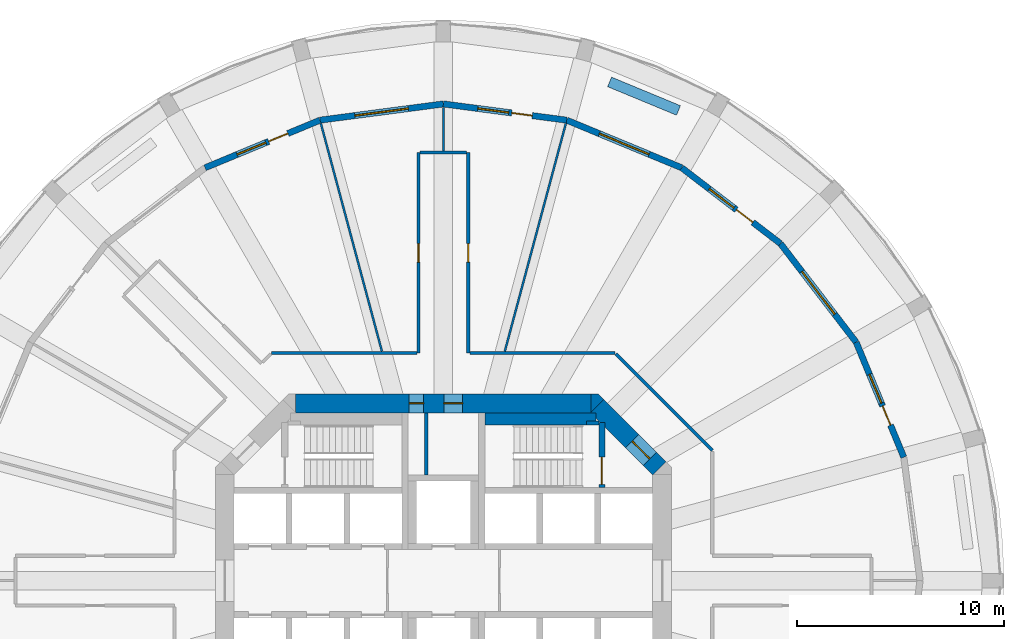
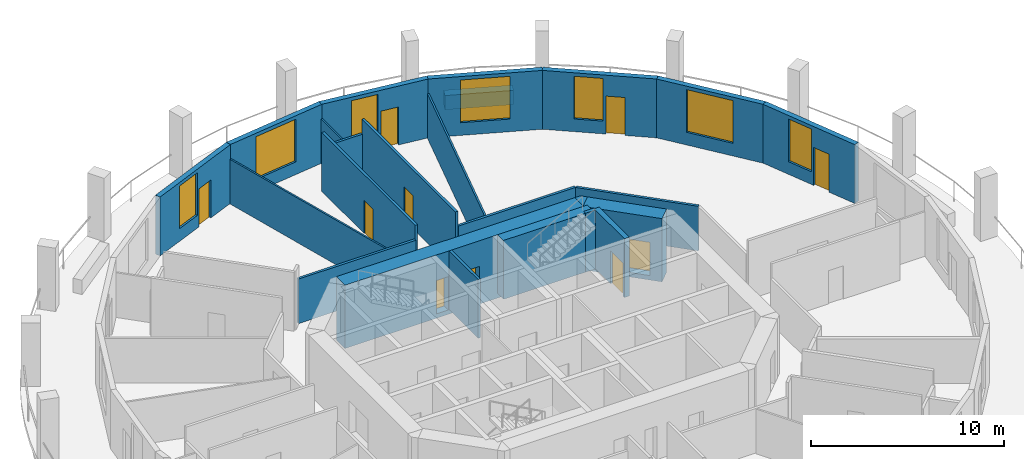
# One storey, part 6 of 9: 24 walls, 10 doors, 7 windows, 17 openings.
"""IFC4 building model written with IfcOpenShell, lengths in metres."""

from ifc_helpers import new_model, si_unit, direction, frame, frame_2d, origin, place, context, subcontext, project, spatial, polyline, rectangle, outline, extrude, material, layer, layer_set, type_object, element, fill, save


model = new_model("IFC4")

# Units and contexts
model_context = context("Model", 3, precision=1e-05, world=origin(), true_north=direction((0.0, 1.0)))
body_context = subcontext(model_context, "Body", "Model", "MODEL_VIEW")
ifc_project = project(units=[si_unit("LENGTHUNIT", "METRE"), si_unit("AREAUNIT", "SQUARE_METRE"), si_unit("VOLUMEUNIT", "CUBIC_METRE"), si_unit("PLANEANGLEUNIT", "RADIAN"), si_unit("MASSUNIT", "GRAM", prefix="KILO")], contexts=[model_context])

# Site, building, storey
site_placement = place(None, origin())
site = spatial("IfcSite", under=ifc_project, at=site_placement, CompositionType="ELEMENT")
building_placement = place(site_placement, origin())
building = spatial("IfcBuilding", under=site, at=building_placement, Name="Torre Triforio", CompositionType="ELEMENT")
storey_placement = place(building_placement, frame((0.0, 0.0, 27.0)))
storey = spatial("IfcBuildingStorey", under=building, at=storey_placement, Name="L04", CompositionType="ELEMENT", Elevation=27.0)

# Wall, openings, doors
ifc_material_1 = material(Name="Concrete C60", Category="concrete")
ifc_layer_1 = layer(ifc_material_1, 0.89990234375)
ifc_layer_set_1 = layer_set([ifc_layer_1], Name="Concrete C60")
wall_type_1 = type_object("IfcWallType", Name="Core wall 900 mm C60 EI 120", PredefinedType="SHEAR", material=ifc_layer_set_1)
wall_1_placement = place(storey_placement, frame((-7.1298828125, 8.550048828125, -0.280029296875), z_axis=(0.0, 0.0, 1.0), x_axis=(1.0, 0.0, 0.0)))
wall_1 = element("IfcWall", 1, at=wall_1_placement, inside=storey, type_object=wall_type_1, Name="Core wall", PredefinedType="SHEAR", context=body_context, shape_type="SweptSolid", body=[
    extrude(rectangle(XDim=14.259765625, YDim=0.89990234375, at=frame_2d((7.1298828125, 0.0))), origin(), (0.0, 0.0, 1.0), 4.0),
])
opening_1_placement = place(wall_1_placement, frame((5.47998046875, 0.0, 0.280029296875)))
opening_1 = element("IfcOpeningElement", 2, at=opening_1_placement, cuts=wall_1, Name="Opening RISER-N", PredefinedType="OPENING", context=body_context, shape_type="SweptSolid", body=[
    extrude(rectangle(XDim=0.699951171875, YDim=2.10009765625, at=frame_2d((0.35009765625, 1.050048828125))), frame((0.0, 0.4599609375, 0.0), z_axis=(0.0, -1.0, 0.0), x_axis=(1.0, 0.0, 0.0)), (0.0, 0.0, 1.0), 0.919921875),
])
opening_2_placement = place(wall_1_placement, frame((7.155029296875, 0.0, 0.280029296875)))
opening_2 = element("IfcOpeningElement", 3, at=opening_2_placement, cuts=wall_1, Name="Opening NE-01", PredefinedType="OPENING", context=body_context, shape_type="SweptSolid", body=[
    extrude(rectangle(XDim=0.89990234375, YDim=2.10009765625, at=frame_2d((0.449951171875, 1.050048828125))), frame((0.0, 0.4599609375, 0.0), z_axis=(0.0, -1.0, 0.0), x_axis=(1.0, 0.0, 0.0)), (0.0, 0.0, 1.0), 0.919921875),
])
ifc_material_2 = material(Name="Hollow metal fire door leaf")
door_type_1 = type_object("IfcDoorType", Name="Riser door 700 x 2100 EI 60", OperationType="NOTDEFINED", PredefinedType="DOOR", material=ifc_material_2)
door_1_placement = place(opening_1_placement, origin())
door_1 = element("IfcDoor", 4, at=door_1_placement, inside=storey, type_object=door_type_1, Name="Core door RISER-N", OperationType="SINGLE_SWING_LEFT", OverallHeight=2.10009765625, OverallWidth=0.699951171875, PredefinedType="DOOR", context=body_context, shape_type="SweptSolid", body=[
    extrude(rectangle(XDim=0.699951171875, YDim=2.10009765625, at=frame_2d((0.35009765625, 1.050048828125))), frame((0.0, 0.02490234375, 0.0), z_axis=(0.0, -1.0, 0.0), x_axis=(1.0, 0.0, 0.0)), (0.0, 0.0, 1.0), 0.050048828125),
])
fill(opening_1, door_1)
door_type_2 = type_object("IfcDoorType", Name="Room door 900 x 2100 EI 60", OperationType="NOTDEFINED", PredefinedType="DOOR", material=ifc_material_2)
door_2_placement = place(opening_2_placement, origin())
door_2 = element("IfcDoor", 5, at=door_2_placement, inside=storey, type_object=door_type_2, Name="Core door NE-01", OperationType="SINGLE_SWING_RIGHT", OverallHeight=2.10009765625, OverallWidth=0.89990234375, PredefinedType="DOOR", context=body_context, shape_type="SweptSolid", body=[
    extrude(rectangle(XDim=0.89990234375, YDim=2.10009765625, at=frame_2d((0.449951171875, 1.050048828125))), frame((0.0, 0.02490234375, 0.0), z_axis=(0.0, -1.0, 0.0), x_axis=(1.0, 0.0, 0.0)), (0.0, 0.0, 1.0), 0.050048828125),
])
fill(opening_2, door_2)

# Wall, opening, door
wall_2_placement = place(storey_placement, frame((7.418212890625, 8.418212890625, -0.280029296875), z_axis=(0.0, 0.0, 1.0), x_axis=(0.707106781187, -0.707106781187, 0.0)))
wall_2 = element("IfcWall", 6, at=wall_2_placement, inside=storey, type_object=wall_type_1, Name="Core wall", PredefinedType="SHEAR", context=body_context, shape_type="SweptSolid", body=[
    extrude(rectangle(XDim=4.24267578125, YDim=0.89990234375, at=frame_2d((2.121337890625, 0.0))), origin(), (0.0, 0.0, 1.0), 4.0),
])
opening_3_placement = place(wall_2_placement, frame((2.392578125, 0.0, 0.280029296875)))
opening_3 = element("IfcOpeningElement", 7, at=opening_3_placement, cuts=wall_2, Name="Opening ST2-EXIT", PredefinedType="OPENING", context=body_context, shape_type="SweptSolid", body=[
    extrude(rectangle(XDim=1.199951171875, YDim=2.10009765625, at=frame_2d((0.60009765625, 1.050048828125))), frame((0.0, 0.4599609375, 0.0), z_axis=(0.0, -1.0, 0.0), x_axis=(1.0, 0.0, 0.0)), (0.0, 0.0, 1.0), 0.919921875),
])
door_type_3 = type_object("IfcDoorType", Name="Stair lobby door 1200 x 2100 EI 60", OperationType="NOTDEFINED", PredefinedType="DOOR", material=ifc_material_2)
door_3_placement = place(opening_3_placement, origin())
door_3 = element("IfcDoor", 8, at=door_3_placement, inside=storey, type_object=door_type_3, Name="Core door ST2-EXIT", OperationType="SINGLE_SWING_RIGHT", OverallHeight=2.10009765625, OverallWidth=1.199951171875, PredefinedType="DOOR", context=body_context, shape_type="SweptSolid", body=[
    extrude(rectangle(XDim=1.199951171875, YDim=2.10009765625, at=frame_2d((0.60009765625, 1.050048828125))), frame((0.0, 0.02490234375, 0.0), z_axis=(0.0, -1.0, 0.0), x_axis=(1.0, 0.0, 0.0)), (0.0, 0.0, 1.0), 0.050048828125),
])
fill(opening_3, door_3)

# Walls
wall_3_placement = place(storey_placement, frame((0.0, 0.0, -0.280029296875)))
element("IfcWall", 9, at=wall_3_placement, inside=storey, type_object=wall_type_1, Name="Core wall", PredefinedType="SHEAR", context=body_context, shape_type="SweptSolid", body=[
    extrude(outline(polyline([(7.472900390625, 9.0), (7.736328125, 8.736328125), (7.1298828125, 8.1298828125), (7.1298828125, 9.0), (7.472900390625, 9.0)])), origin(), (0.0, 0.0, 1.0), 4.0),
])
ifc_material_3 = material(Name="Plasterboard on metal studs")
ifc_layer_2 = layer(ifc_material_3, 0.14990234375)
ifc_layer_set_2 = layer_set([ifc_layer_2], Name="Plasterboard on metal studs")
wall_type_2 = type_object("IfcWallType", Name="Corridor and tenancy wall 150 mm EI 60", PredefinedType="PARTITIONING", material=ifc_layer_set_2)
wall_4_placement = place(storey_placement, frame((-8.291015625, 10.97509765625, 0.0), z_axis=(0.0, 0.0, 1.0), x_axis=(1.0, 0.0, 0.0)))
element("IfcWall", 10, at=wall_4_placement, inside=storey, type_object=wall_type_2, Name="Partition 21", PredefinedType="PARTITIONING", context=body_context, shape_type="SweptSolid", body=[
    extrude(rectangle(XDim=7.01611328125, YDim=0.14990234375, at=frame_2d((3.508056640625, 0.0))), origin(), (0.0, 0.0, 1.0), 2.820068359375),
])

# Wall, opening, door
wall_5_placement = place(storey_placement, frame((-1.199951171875, 10.97509765625, 0.0), z_axis=(0.0, 0.0, 1.0), x_axis=(0.0, 1.0, 0.0)))
wall_5 = element("IfcWall", 11, at=wall_5_placement, inside=storey, type_object=wall_type_2, Name="Partition 22", PredefinedType="PARTITIONING", context=body_context, shape_type="SweptSolid", body=[
    extrude(rectangle(XDim=9.673583984375, YDim=0.14990234375, at=frame_2d((4.8369140625, 0.0))), origin(), (0.0, 0.0, 1.0), 3.719970703125),
])
opening_4_placement = place(wall_5_placement, frame((4.386962890625, 0.0, 0.0)))
opening_4 = element("IfcOpeningElement", 12, at=opening_4_placement, cuts=wall_5, Name="Opening N1-03", PredefinedType="OPENING", context=body_context, shape_type="SweptSolid", body=[
    extrude(rectangle(XDim=0.89990234375, YDim=2.10009765625, at=frame_2d((0.449951171875, 1.050048828125))), frame((0.0, 0.0849609375, 0.0), z_axis=(0.0, -1.0, 0.0), x_axis=(1.0, 0.0, 0.0)), (0.0, 0.0, 1.0), 0.169921875),
])
ifc_material_4 = material(Name="Timber", Category="wood")
door_type_4 = type_object("IfcDoorType", Name="Door 900 x 2100 single leaf EI 30", OperationType="NOTDEFINED", PredefinedType="DOOR", material=ifc_material_4)
door_4_placement = place(opening_4_placement, origin())
door_4 = element("IfcDoor", 13, at=door_4_placement, inside=storey, type_object=door_type_4, Name="Door N1-03", OperationType="SINGLE_SWING_RIGHT", OverallHeight=2.10009765625, OverallWidth=0.89990234375, PredefinedType="DOOR", context=body_context, shape_type="SweptSolid", body=[
    extrude(rectangle(XDim=0.89990234375, YDim=2.10009765625, at=frame_2d((0.449951171875, 1.050048828125))), frame((0.0, 0.02490234375, 0.0), z_axis=(0.0, -1.0, 0.0), x_axis=(1.0, 0.0, 0.0)), (0.0, 0.0, 1.0), 0.050048828125),
])
fill(opening_4, door_4)

# Wall
wall_6_placement = place(storey_placement, frame((-1.125, 20.648681640625, 0.0), z_axis=(0.0, 0.0, 1.0), x_axis=(1.0, 0.0, 0.0)))
element("IfcWall", 14, at=wall_6_placement, inside=storey, type_object=wall_type_2, Name="Partition 23", PredefinedType="PARTITIONING", context=body_context, shape_type="SweptSolid", body=[
    extrude(rectangle(XDim=2.25, YDim=0.14990234375, at=frame_2d((1.125, 0.0))), origin(), (0.0, 0.0, 1.0), 2.820068359375),
])

# Wall, opening, door
wall_7_placement = place(storey_placement, frame((1.199951171875, 20.648681640625, 0.0), z_axis=(0.0, 0.0, 1.0), x_axis=(0.0, -1.0, 0.0)))
wall_7 = element("IfcWall", 15, at=wall_7_placement, inside=storey, type_object=wall_type_2, Name="Partition 24", PredefinedType="PARTITIONING", context=body_context, shape_type="SweptSolid", body=[
    extrude(rectangle(XDim=9.673583984375, YDim=0.14990234375, at=frame_2d((4.8369140625, 0.0))), origin(), (0.0, 0.0, 1.0), 3.719970703125),
])
opening_5_placement = place(wall_7_placement, frame((4.386962890625, 0.0, 0.0)))
opening_5 = element("IfcOpeningElement", 16, at=opening_5_placement, cuts=wall_7, Name="Opening N1-02", PredefinedType="OPENING", context=body_context, shape_type="SweptSolid", body=[
    extrude(rectangle(XDim=0.89990234375, YDim=2.10009765625, at=frame_2d((0.449951171875, 1.050048828125))), frame((0.0, 0.0849609375, 0.0), z_axis=(0.0, -1.0, 0.0), x_axis=(1.0, 0.0, 0.0)), (0.0, 0.0, 1.0), 0.169921875),
])
door_5_placement = place(opening_5_placement, origin())
door_5 = element("IfcDoor", 17, at=door_5_placement, inside=storey, type_object=door_type_4, Name="Door N1-02", OperationType="SINGLE_SWING_RIGHT", OverallHeight=2.10009765625, OverallWidth=0.89990234375, PredefinedType="DOOR", context=body_context, shape_type="SweptSolid", body=[
    extrude(rectangle(XDim=0.89990234375, YDim=2.10009765625, at=frame_2d((0.449951171875, 1.050048828125))), frame((0.0, 0.02490234375, 0.0), z_axis=(0.0, -1.0, 0.0), x_axis=(1.0, 0.0, 0.0)), (0.0, 0.0, 1.0), 0.050048828125),
])
fill(opening_5, door_5)

# Walls
wall_8_placement = place(storey_placement, frame((1.27490234375, 10.97509765625, 0.0), z_axis=(0.0, 0.0, 1.0), x_axis=(1.0, 0.0, 0.0)))
element("IfcWall", 18, at=wall_8_placement, inside=storey, type_object=wall_type_2, Name="Partition 25", PredefinedType="PARTITIONING", context=body_context, shape_type="SweptSolid", body=[
    extrude(rectangle(XDim=7.01611328125, YDim=0.14990234375, at=frame_2d((3.508056640625, 0.0))), origin(), (0.0, 0.0, 1.0), 2.820068359375),
])
wall_9_placement = place(storey_placement, frame((8.327880859375, 10.93798828125, 0.0), z_axis=(0.0, 0.0, 1.0), x_axis=(0.707125355289, -0.707088206597, 0.0)))
element("IfcWall", 19, at=wall_9_placement, inside=storey, type_object=wall_type_2, Name="Partition 26", PredefinedType="PARTITIONING", context=body_context, shape_type="SweptSolid", body=[
    extrude(rectangle(XDim=6.572021484375, YDim=0.14990234375, at=frame_2d((3.2861328125, 0.0))), origin(), (0.0, 0.0, 1.0), 2.820068359375),
])
ifc_layer_3 = layer(ifc_material_3, 0.10009765625)
ifc_layer_set_3 = layer_set([ifc_layer_3], Name="Plasterboard on metal studs")
wall_type_3 = type_object("IfcWallType", Name="Partition 100 mm board on metal studs", PredefinedType="PARTITIONING", material=ifc_layer_set_3)
wall_10_placement = place(storey_placement, frame((2.964599609375, 11.064208984375, 0.0), z_axis=(0.0, 0.0, 1.0), x_axis=(0.258827930947, 0.965923445291, 0.0)))
element("IfcWall", 20, at=wall_10_placement, inside=storey, type_object=wall_type_3, Name="Partition 36", PredefinedType="PARTITIONING", context=body_context, shape_type="SweptSolid", body=[
    extrude(rectangle(XDim=11.38232421875, YDim=0.10009765625, at=frame_2d((5.691162109375, 0.0))), origin(), (0.0, 0.0, 1.0), 2.820068359375),
])
wall_11_placement = place(storey_placement, frame((0.0, 20.7236328125, 0.0), z_axis=(0.0, 0.0, 1.0), x_axis=(0.0, 1.0, 0.0)))
element("IfcWall", 21, at=wall_11_placement, inside=storey, type_object=wall_type_3, Name="Partition 37", PredefinedType="PARTITIONING", context=body_context, shape_type="SweptSolid", body=[
    extrude(rectangle(XDim=2.113037109375, YDim=0.10009765625, at=frame_2d((1.056640625, 0.0))), origin(), (0.0, 0.0, 1.0), 2.820068359375),
])
wall_12_placement = place(storey_placement, frame((-2.964599609375, 11.064208984375, 0.0), z_axis=(0.0, 0.0, 1.0), x_axis=(-0.258827930947, 0.965923445291, 0.0)))
element("IfcWall", 22, at=wall_12_placement, inside=storey, type_object=wall_type_3, Name="Partition 38", PredefinedType="PARTITIONING", context=body_context, shape_type="SweptSolid", body=[
    extrude(rectangle(XDim=11.38232421875, YDim=0.10009765625, at=frame_2d((5.691162109375, 0.0))), origin(), (0.0, 0.0, 1.0), 2.820068359375),
])
ifc_material_5 = material(Name="Block and board partition")
ifc_layer_4 = layer(ifc_material_5, 0.14990234375)
ifc_layer_set_4 = layer_set([ifc_layer_4], Name="Block and board partition")
wall_type_4 = type_object("IfcWallType", Name="Partition 150 mm EI 120", PredefinedType="PARTITIONING", material=ifc_layer_set_4)
wall_13_placement = place(storey_placement, frame((-0.824951171875, 5.10009765625, 0.0), z_axis=(0.0, 0.0, 1.0), x_axis=(0.0, 1.0, 0.0)))
element("IfcWall", 23, at=wall_13_placement, inside=storey, type_object=wall_type_4, Name="Partition", PredefinedType="PARTITIONING", context=body_context, shape_type="SweptSolid", body=[
    extrude(rectangle(XDim=3.0, YDim=0.14990234375, at=frame_2d((1.5, 0.0))), origin(), (0.0, 0.0, 1.0), 3.719970703125),
])
ifc_material_6 = material(Name="Limestone cladding", Category="masonry")
ifc_layer_5 = layer(ifc_material_6, 0.10009765625)
ifc_material_7 = material(Name="Concrete C40", Category="concrete")
ifc_layer_6 = layer(ifc_material_7, 0.39990234375)
ifc_layer_set_5 = layer_set([ifc_layer_5, ifc_layer_6], Name="Limestone cladding / Concrete C40")
wall_type_5 = type_object("IfcWallType", Name="Planter wall 500", PredefinedType="PARAPET", material=ifc_layer_set_5)
wall_14_placement = place(storey_placement, frame((11.344970703125, 22.685302734375, 0.0), z_axis=(0.0, 0.0, 1.0), x_axis=(-0.923885420167, 0.382669217998, 0.0)))
element("IfcWall", 24, at=wall_14_placement, inside=storey, type_object=wall_type_5, Name="Planter L04 bay 05", PredefinedType="PARAPET", context=body_context, shape_type="SweptSolid", body=[
    extrude(rectangle(XDim=3.60009765625, YDim=0.5, at=frame_2d((1.800048828125, 0.0))), origin(), (0.0, 0.0, 1.0), 0.89990234375),
])
ifc_layer_7 = layer(ifc_material_1, 0.199951171875)
ifc_layer_set_6 = layer_set([ifc_layer_7], Name="Concrete C60")
wall_type_6 = type_object("IfcWallType", Name="Stair wall 200 mm C60 EI 120", PredefinedType="SHEAR", material=ifc_layer_set_6)
wall_15_placement = place(storey_placement, frame((6.89990234375, 7.60009765625, 0.0), z_axis=(0.0, 0.0, 1.0), x_axis=(1.0, 0.0, 0.0)))
element("IfcWall", 25, at=wall_15_placement, inside=storey, type_object=wall_type_6, Name="Stair wall", PredefinedType="SHEAR", context=body_context, shape_type="SweptSolid", body=[
    extrude(rectangle(XDim=0.60009765625, YDim=0.199951171875, at=frame_2d((0.300048828125, 0.0))), origin(), (0.0, 0.0, 1.0), 3.719970703125),
])

# Wall, opening, door
ifc_layer_8 = layer(ifc_material_1, 0.300048828125)
ifc_layer_set_7 = layer_set([ifc_layer_8], Name="Concrete C60")
wall_type_7 = type_object("IfcWallType", Name="Stair wall 300 mm C60 EI 120", PredefinedType="SHEAR", material=ifc_layer_set_7)
wall_16_placement = place(storey_placement, frame((7.64990234375, 4.5, 0.0), z_axis=(0.0, 0.0, 1.0), x_axis=(0.0, 1.0, 0.0)))
wall_16 = element("IfcWall", 26, at=wall_16_placement, inside=storey, type_object=wall_type_7, Name="Stair wall", PredefinedType="SHEAR", context=body_context, shape_type="SweptSolid", body=[
    extrude(rectangle(XDim=3.139892578125, YDim=0.300048828125, at=frame_2d((1.56982421875, 0.0))), origin(), (0.0, 0.0, 1.0), 3.719970703125),
])
opening_6_placement = place(wall_16_placement, frame((0.139892578125, 0.0, 0.0)))
opening_6 = element("IfcOpeningElement", 27, at=opening_6_placement, cuts=wall_16, Name="Opening ST2-STA", PredefinedType="OPENING", context=body_context, shape_type="SweptSolid", body=[
    extrude(rectangle(XDim=1.320068359375, YDim=2.10009765625, at=frame_2d((0.66015625, 1.050048828125))), frame((0.0, 0.159912109375, 0.0), z_axis=(0.0, -1.0, 0.0), x_axis=(1.0, 0.0, 0.0)), (0.0, 0.0, 1.0), 0.320068359375),
])
door_type_5 = type_object("IfcDoorType", Name="Stair door 1320 x 2100 EI 90", OperationType="DOUBLE_DOOR_SINGLE_SWING", PredefinedType="DOOR", material=ifc_material_2)
door_6_placement = place(opening_6_placement, origin())
door_6 = element("IfcDoor", 28, at=door_6_placement, inside=storey, type_object=door_type_5, Name="Core door ST2-ST", OperationType="DOUBLE_DOOR_SINGLE_SWING", OverallHeight=2.10009765625, OverallWidth=1.320068359375, PredefinedType="DOOR", context=body_context, shape_type="SweptSolid", body=[
    extrude(rectangle(XDim=1.320068359375, YDim=2.10009765625, at=frame_2d((0.66015625, 1.050048828125))), frame((0.0, 0.02490234375, 0.0), z_axis=(0.0, -1.0, 0.0), x_axis=(1.0, 0.0, 0.0)), (0.0, 0.0, 1.0), 0.050048828125),
])
fill(opening_6, door_6)

# Wall
ifc_layer_9 = layer(ifc_material_1, 0.60009765625)
ifc_layer_set_8 = layer_set([ifc_layer_9], Name="Concrete C60")
wall_type_8 = type_object("IfcWallType", Name="Stair wall 600 mm C60 EI 120", PredefinedType="SHEAR", material=ifc_layer_set_8)
wall_17_placement = place(storey_placement, frame((2.0, 7.800048828125, 0.0), z_axis=(0.0, 0.0, 1.0), x_axis=(1.0, 0.0, 0.0)))
element("IfcWall", 29, at=wall_17_placement, inside=storey, type_object=wall_type_8, Name="Stair wall", PredefinedType="SHEAR", context=body_context, shape_type="SweptSolid", body=[
    extrude(rectangle(XDim=5.3701171875, YDim=0.60009765625, at=frame_2d((2.68505859375, 0.0))), origin(), (0.0, 0.0, 1.0), 3.719970703125),
])

# Wall, openings, door, window
ifc_layer_10 = layer(ifc_material_6, 0.10009765625)
ifc_layer_11 = layer(ifc_material_7, 0.199951171875)
ifc_layer_set_9 = layer_set([ifc_layer_10, ifc_layer_11], Name="Limestone cladding / Concrete C40")
wall_type_9 = type_object("IfcWallType", Name="Stone-faced composite wall 300", PredefinedType="STANDARD", material=ifc_layer_set_9)
wall_18_placement = place(storey_placement, frame((22.21630859375, 5.952880859375, 0.0), z_axis=(0.0, 0.0, 1.0), x_axis=(-0.382671411433, 0.923884511653, 0.0)))
wall_18 = element("IfcWall", 30, at=wall_18_placement, inside=storey, type_object=wall_type_9, Name="External wall L04 bay 02", PredefinedType="STANDARD", context=body_context, shape_type="SweptSolid", body=[
    extrude(rectangle(XDim=6.004150390625, YDim=0.300048828125, at=frame_2d((3.001953125, 0.0))), origin(), (0.0, 0.0, 1.0), 3.719970703125),
])
opening_7_placement = place(wall_18_placement, frame((1.677001953125, 0.0, 0.0)))
opening_7 = element("IfcOpeningElement", 31, at=opening_7_placement, cuts=wall_18, Name="Opening N1-D02", PredefinedType="OPENING", context=body_context, shape_type="SweptSolid", body=[
    extrude(rectangle(XDim=1.0, YDim=2.39990234375, at=frame_2d((0.5, 1.199951171875))), frame((0.0, 0.159912109375, 0.0), z_axis=(0.0, -1.0, 0.0), x_axis=(1.0, 0.0, 0.0)), (0.0, 0.0, 1.0), 0.320068359375),
])
opening_8_placement = place(wall_18_placement, frame((2.8271484375, 0.0, 0.800048828125)))
opening_8 = element("IfcOpeningElement", 32, at=opening_8_placement, cuts=wall_18, Name="Opening N1-W02A", PredefinedType="OPENING", context=body_context, shape_type="SweptSolid", body=[
    extrude(rectangle(XDim=1.5, YDim=2.699951171875, at=frame_2d((0.75, 1.35009765625))), frame((0.0, 0.159912109375, 0.0), z_axis=(0.0, -1.0, 0.0), x_axis=(1.0, 0.0, 0.0)), (0.0, 0.0, 1.0), 0.320068359375),
])
ifc_material_8 = material(Name="Aluminium frame with clear double glazing", Category="aluminium")
door_type_6 = type_object("IfcDoorType", Name="Loggia door 1000 x 2400", OperationType="NOTDEFINED", PredefinedType="DOOR", material=ifc_material_8)
door_7_placement = place(opening_7_placement, origin())
door_7 = element("IfcDoor", 33, at=door_7_placement, inside=storey, type_object=door_type_6, Name="Loggia door L04 bay 02", OperationType="SINGLE_SWING_RIGHT", OverallHeight=2.39990234375, OverallWidth=1.0, PredefinedType="DOOR", context=body_context, shape_type="SweptSolid", body=[
    extrude(rectangle(XDim=1.0, YDim=2.39990234375, at=frame_2d((0.5, 1.199951171875))), frame((0.0, 0.02490234375, 0.0), z_axis=(0.0, -1.0, 0.0), x_axis=(1.0, 0.0, 0.0)), (0.0, 0.0, 1.0), 0.050048828125),
])
fill(opening_7, door_7)
window_type_1 = type_object("IfcWindowType", Name="Side window 1500 x 2700", PartitioningType="SINGLE_PANEL", PredefinedType="WINDOW", material=ifc_material_8)
window_1_placement = place(opening_8_placement, origin())
window_1 = element("IfcWindow", 34, at=window_1_placement, inside=storey, type_object=window_type_1, Name="Side window EWN12 L04 bay 02", OverallHeight=2.699951171875, OverallWidth=1.5, PartitioningType="SINGLE_PANEL", PredefinedType="WINDOW", context=body_context, shape_type="SweptSolid", body=[
    extrude(rectangle(XDim=1.5, YDim=2.699951171875, at=frame_2d((0.75, 1.35009765625))), frame((0.0, 0.030029296875, 0.0), z_axis=(0.0, -1.0, 0.0), x_axis=(1.0, 0.0, 0.0)), (0.0, 0.0, 1.0), 0.06005859375),
])
fill(opening_8, window_1)

# Wall, opening, window
wall_19_placement = place(storey_placement, frame((19.918701171875, 11.5, 0.0), z_axis=(0.0, 0.0, 1.0), x_axis=(-0.608778912074, 0.793339924758, 0.0)))
wall_19 = element("IfcWall", 35, at=wall_19_placement, inside=storey, type_object=wall_type_9, Name="External wall L04 bay 03", PredefinedType="STANDARD", context=body_context, shape_type="SweptSolid", body=[
    extrude(rectangle(XDim=6.004150390625, YDim=0.300048828125, at=frame_2d((3.001953125, 0.0))), origin(), (0.0, 0.0, 1.0), 3.719970703125),
])
opening_9_placement = place(wall_19_placement, frame((1.7021484375, 0.0, 0.800048828125)))
opening_9 = element("IfcOpeningElement", 36, at=opening_9_placement, cuts=wall_19, Name="Opening N1-W03", PredefinedType="OPENING", context=body_context, shape_type="SweptSolid", body=[
    extrude(rectangle(XDim=2.60009765625, YDim=2.699951171875, at=frame_2d((1.300048828125, 1.35009765625))), frame((0.0, 0.159912109375, 0.0), z_axis=(0.0, -1.0, 0.0), x_axis=(1.0, 0.0, 0.0)), (0.0, 0.0, 1.0), 0.320068359375),
])
window_type_2 = type_object("IfcWindowType", Name="Punched window 2600 x 2700", PartitioningType="DOUBLE_PANEL_VERTICAL", PredefinedType="WINDOW", material=ifc_material_8)
window_2_placement = place(opening_9_placement, origin())
window_2 = element("IfcWindow", 37, at=window_2_placement, inside=storey, type_object=window_type_2, Name="Window EWN2 L04 bay 03", OverallHeight=2.699951171875, OverallWidth=2.60009765625, PartitioningType="SINGLE_PANEL", PredefinedType="WINDOW", context=body_context, shape_type="SweptSolid", body=[
    extrude(rectangle(XDim=2.60009765625, YDim=2.699951171875, at=frame_2d((1.300048828125, 1.35009765625))), frame((0.0, 0.030029296875, 0.0), z_axis=(0.0, -1.0, 0.0), x_axis=(1.0, 0.0, 0.0)), (0.0, 0.0, 1.0), 0.06005859375),
])
fill(opening_9, window_2)

# Wall, openings, door, window
wall_20_placement = place(storey_placement, frame((16.263427734375, 16.263427734375, 0.0), z_axis=(0.0, 0.0, 1.0), x_axis=(-0.793339924758, 0.608778912074, 0.0)))
wall_20 = element("IfcWall", 38, at=wall_20_placement, inside=storey, type_object=wall_type_9, Name="External wall L04 bay 04", PredefinedType="STANDARD", context=body_context, shape_type="SweptSolid", body=[
    extrude(rectangle(XDim=6.004150390625, YDim=0.300048828125, at=frame_2d((3.001953125, 0.0))), origin(), (0.0, 0.0, 1.0), 3.719970703125),
])
opening_10_placement = place(wall_20_placement, frame((1.677001953125, 0.0, 0.0)))
opening_10 = element("IfcOpeningElement", 39, at=opening_10_placement, cuts=wall_20, Name="Opening N1-D04", PredefinedType="OPENING", context=body_context, shape_type="SweptSolid", body=[
    extrude(rectangle(XDim=1.0, YDim=2.39990234375, at=frame_2d((0.5, 1.199951171875))), frame((0.0, 0.159912109375, 0.0), z_axis=(0.0, -1.0, 0.0), x_axis=(1.0, 0.0, 0.0)), (0.0, 0.0, 1.0), 0.320068359375),
])
opening_11_placement = place(wall_20_placement, frame((2.8271484375, 0.0, 0.800048828125)))
opening_11 = element("IfcOpeningElement", 40, at=opening_11_placement, cuts=wall_20, Name="Opening N1-W04A", PredefinedType="OPENING", context=body_context, shape_type="SweptSolid", body=[
    extrude(rectangle(XDim=1.5, YDim=2.699951171875, at=frame_2d((0.75, 1.35009765625))), frame((0.0, 0.159912109375, 0.0), z_axis=(0.0, -1.0, 0.0), x_axis=(1.0, 0.0, 0.0)), (0.0, 0.0, 1.0), 0.320068359375),
])
door_8_placement = place(opening_10_placement, origin())
door_8 = element("IfcDoor", 41, at=door_8_placement, inside=storey, type_object=door_type_6, Name="Loggia door L04 bay 04", OperationType="SINGLE_SWING_LEFT", OverallHeight=2.39990234375, OverallWidth=1.0, PredefinedType="DOOR", context=body_context, shape_type="SweptSolid", body=[
    extrude(rectangle(XDim=1.0, YDim=2.39990234375, at=frame_2d((0.5, 1.199951171875))), frame((0.0, 0.02490234375, 0.0), z_axis=(0.0, -1.0, 0.0), x_axis=(1.0, 0.0, 0.0)), (0.0, 0.0, 1.0), 0.050048828125),
])
fill(opening_10, door_8)
window_3_placement = place(opening_11_placement, origin())
window_3 = element("IfcWindow", 42, at=window_3_placement, inside=storey, type_object=window_type_1, Name="Side window EWN12 L04 bay 04", OverallHeight=2.699951171875, OverallWidth=1.5, PartitioningType="SINGLE_PANEL", PredefinedType="WINDOW", context=body_context, shape_type="SweptSolid", body=[
    extrude(rectangle(XDim=1.5, YDim=2.699951171875, at=frame_2d((0.75, 1.35009765625))), frame((0.0, 0.030029296875, 0.0), z_axis=(0.0, -1.0, 0.0), x_axis=(1.0, 0.0, 0.0)), (0.0, 0.0, 1.0), 0.06005859375),
])
fill(opening_11, window_3)

# Wall, opening, window
wall_21_placement = place(storey_placement, frame((11.5, 19.918701171875, 0.0), z_axis=(0.0, 0.0, 1.0), x_axis=(-0.923884511653, 0.382671411433, 0.0)))
wall_21 = element("IfcWall", 43, at=wall_21_placement, inside=storey, type_object=wall_type_9, Name="External wall L04 bay 05", PredefinedType="STANDARD", context=body_context, shape_type="SweptSolid", body=[
    extrude(rectangle(XDim=6.004150390625, YDim=0.300048828125, at=frame_2d((3.001953125, 0.0))), origin(), (0.0, 0.0, 1.0), 3.719970703125),
])
opening_12_placement = place(wall_21_placement, frame((1.7021484375, 0.0, 0.800048828125)))
opening_12 = element("IfcOpeningElement", 44, at=opening_12_placement, cuts=wall_21, Name="Opening N1-W05", PredefinedType="OPENING", context=body_context, shape_type="SweptSolid", body=[
    extrude(rectangle(XDim=2.60009765625, YDim=2.699951171875, at=frame_2d((1.300048828125, 1.35009765625))), frame((0.0, 0.159912109375, 0.0), z_axis=(0.0, -1.0, 0.0), x_axis=(1.0, 0.0, 0.0)), (0.0, 0.0, 1.0), 0.320068359375),
])
window_4_placement = place(opening_12_placement, origin())
window_4 = element("IfcWindow", 45, at=window_4_placement, inside=storey, type_object=window_type_2, Name="Window EWN2 L04 bay 05", OverallHeight=2.699951171875, OverallWidth=2.60009765625, PartitioningType="SINGLE_PANEL", PredefinedType="WINDOW", context=body_context, shape_type="SweptSolid", body=[
    extrude(rectangle(XDim=2.60009765625, YDim=2.699951171875, at=frame_2d((1.300048828125, 1.35009765625))), frame((0.0, 0.030029296875, 0.0), z_axis=(0.0, -1.0, 0.0), x_axis=(1.0, 0.0, 0.0)), (0.0, 0.0, 1.0), 0.06005859375),
])
fill(opening_12, window_4)

# Wall, openings, door, window
wall_22_placement = place(storey_placement, frame((5.952880859375, 22.21630859375, 0.0), z_axis=(0.0, 0.0, 1.0), x_axis=(-0.991445297315, 0.130522880875, 0.0)))
wall_22 = element("IfcWall", 46, at=wall_22_placement, inside=storey, type_object=wall_type_9, Name="External wall L04 bay 06", PredefinedType="STANDARD", context=body_context, shape_type="SweptSolid", body=[
    extrude(rectangle(XDim=6.004150390625, YDim=0.300048828125, at=frame_2d((3.001953125, 0.0))), origin(), (0.0, 0.0, 1.0), 3.719970703125),
])
opening_13_placement = place(wall_22_placement, frame((1.677001953125, 0.0, 0.0)))
opening_13 = element("IfcOpeningElement", 47, at=opening_13_placement, cuts=wall_22, Name="Opening N1-D06", PredefinedType="OPENING", context=body_context, shape_type="SweptSolid", body=[
    extrude(rectangle(XDim=1.0, YDim=2.39990234375, at=frame_2d((0.5, 1.199951171875))), frame((0.0, 0.159912109375, 0.0), z_axis=(0.0, -1.0, 0.0), x_axis=(1.0, 0.0, 0.0)), (0.0, 0.0, 1.0), 0.320068359375),
])
opening_14_placement = place(wall_22_placement, frame((2.8271484375, 0.0, 0.800048828125)))
opening_14 = element("IfcOpeningElement", 48, at=opening_14_placement, cuts=wall_22, Name="Opening N1-W06A", PredefinedType="OPENING", context=body_context, shape_type="SweptSolid", body=[
    extrude(rectangle(XDim=1.5, YDim=2.699951171875, at=frame_2d((0.75, 1.35009765625))), frame((0.0, 0.159912109375, 0.0), z_axis=(0.0, -1.0, 0.0), x_axis=(1.0, 0.0, 0.0)), (0.0, 0.0, 1.0), 0.320068359375),
])
door_9_placement = place(opening_13_placement, origin())
door_9 = element("IfcDoor", 49, at=door_9_placement, inside=storey, type_object=door_type_6, Name="Loggia door L04 bay 06", OperationType="SINGLE_SWING_RIGHT", OverallHeight=2.39990234375, OverallWidth=1.0, PredefinedType="DOOR", context=body_context, shape_type="SweptSolid", body=[
    extrude(rectangle(XDim=1.0, YDim=2.39990234375, at=frame_2d((0.5, 1.199951171875))), frame((0.0, 0.02490234375, 0.0), z_axis=(0.0, -1.0, 0.0), x_axis=(1.0, 0.0, 0.0)), (0.0, 0.0, 1.0), 0.050048828125),
])
fill(opening_13, door_9)
window_5_placement = place(opening_14_placement, origin())
window_5 = element("IfcWindow", 50, at=window_5_placement, inside=storey, type_object=window_type_1, Name="Side window EWN12 L04 bay 06", OverallHeight=2.699951171875, OverallWidth=1.5, PartitioningType="SINGLE_PANEL", PredefinedType="WINDOW", context=body_context, shape_type="SweptSolid", body=[
    extrude(rectangle(XDim=1.5, YDim=2.699951171875, at=frame_2d((0.75, 1.35009765625))), frame((0.0, 0.030029296875, 0.0), z_axis=(0.0, -1.0, 0.0), x_axis=(1.0, 0.0, 0.0)), (0.0, 0.0, 1.0), 0.06005859375),
])
fill(opening_14, window_5)

# Wall, opening, window
wall_23_placement = place(storey_placement, frame((0.0, 23.0, 0.0), z_axis=(0.0, 0.0, 1.0), x_axis=(-0.991445297315, -0.130522880875, 0.0)))
wall_23 = element("IfcWall", 51, at=wall_23_placement, inside=storey, type_object=wall_type_9, Name="External wall L04 bay 07", PredefinedType="STANDARD", context=body_context, shape_type="SweptSolid", body=[
    extrude(rectangle(XDim=6.004150390625, YDim=0.300048828125, at=frame_2d((3.001953125, 0.0))), origin(), (0.0, 0.0, 1.0), 3.719970703125),
])
opening_15_placement = place(wall_23_placement, frame((1.7021484375, 0.0, 0.800048828125)))
opening_15 = element("IfcOpeningElement", 52, at=opening_15_placement, cuts=wall_23, Name="Opening N1-W07", PredefinedType="OPENING", context=body_context, shape_type="SweptSolid", body=[
    extrude(rectangle(XDim=2.60009765625, YDim=2.699951171875, at=frame_2d((1.300048828125, 1.35009765625))), frame((0.0, 0.159912109375, 0.0), z_axis=(0.0, -1.0, 0.0), x_axis=(1.0, 0.0, 0.0)), (0.0, 0.0, 1.0), 0.320068359375),
])
window_6_placement = place(opening_15_placement, origin())
window_6 = element("IfcWindow", 53, at=window_6_placement, inside=storey, type_object=window_type_2, Name="Window EWN2 L04 bay 07", OverallHeight=2.699951171875, OverallWidth=2.60009765625, PartitioningType="SINGLE_PANEL", PredefinedType="WINDOW", context=body_context, shape_type="SweptSolid", body=[
    extrude(rectangle(XDim=2.60009765625, YDim=2.699951171875, at=frame_2d((1.300048828125, 1.35009765625))), frame((0.0, 0.030029296875, 0.0), z_axis=(0.0, -1.0, 0.0), x_axis=(1.0, 0.0, 0.0)), (0.0, 0.0, 1.0), 0.06005859375),
])
fill(opening_15, window_6)

# Wall, openings, door, window
wall_24_placement = place(storey_placement, frame((-5.952880859375, 22.21630859375, 0.0), z_axis=(0.0, 0.0, 1.0), x_axis=(-0.923884511653, -0.382671411433, 0.0)))
wall_24 = element("IfcWall", 54, at=wall_24_placement, inside=storey, type_object=wall_type_9, Name="External wall L04 bay 08", PredefinedType="STANDARD", context=body_context, shape_type="SweptSolid", body=[
    extrude(rectangle(XDim=6.004150390625, YDim=0.300048828125, at=frame_2d((3.001953125, 0.0))), origin(), (0.0, 0.0, 1.0), 3.719970703125),
])
opening_16_placement = place(wall_24_placement, frame((1.677001953125, 0.0, 0.0)))
opening_16 = element("IfcOpeningElement", 55, at=opening_16_placement, cuts=wall_24, Name="Opening N1-D08", PredefinedType="OPENING", context=body_context, shape_type="SweptSolid", body=[
    extrude(rectangle(XDim=1.0, YDim=2.39990234375, at=frame_2d((0.5, 1.199951171875))), frame((0.0, 0.159912109375, 0.0), z_axis=(0.0, -1.0, 0.0), x_axis=(1.0, 0.0, 0.0)), (0.0, 0.0, 1.0), 0.320068359375),
])
opening_17_placement = place(wall_24_placement, frame((2.8271484375, 0.0, 0.800048828125)))
opening_17 = element("IfcOpeningElement", 56, at=opening_17_placement, cuts=wall_24, Name="Opening N1-W08A", PredefinedType="OPENING", context=body_context, shape_type="SweptSolid", body=[
    extrude(rectangle(XDim=1.5, YDim=2.699951171875, at=frame_2d((0.75, 1.35009765625))), frame((0.0, 0.159912109375, 0.0), z_axis=(0.0, -1.0, 0.0), x_axis=(1.0, 0.0, 0.0)), (0.0, 0.0, 1.0), 0.320068359375),
])
door_10_placement = place(opening_16_placement, origin())
door_10 = element("IfcDoor", 57, at=door_10_placement, inside=storey, type_object=door_type_6, Name="Loggia door L04 bay 08", OperationType="SINGLE_SWING_LEFT", OverallHeight=2.39990234375, OverallWidth=1.0, PredefinedType="DOOR", context=body_context, shape_type="SweptSolid", body=[
    extrude(rectangle(XDim=1.0, YDim=2.39990234375, at=frame_2d((0.5, 1.199951171875))), frame((0.0, 0.02490234375, 0.0), z_axis=(0.0, -1.0, 0.0), x_axis=(1.0, 0.0, 0.0)), (0.0, 0.0, 1.0), 0.050048828125),
])
fill(opening_16, door_10)
window_7_placement = place(opening_17_placement, origin())
window_7 = element("IfcWindow", 58, at=window_7_placement, inside=storey, type_object=window_type_1, Name="Side window EWN12 L04 bay 08", OverallHeight=2.699951171875, OverallWidth=1.5, PartitioningType="SINGLE_PANEL", PredefinedType="WINDOW", context=body_context, shape_type="SweptSolid", body=[
    extrude(rectangle(XDim=1.5, YDim=2.699951171875, at=frame_2d((0.75, 1.35009765625))), frame((0.0, 0.030029296875, 0.0), z_axis=(0.0, -1.0, 0.0), x_axis=(1.0, 0.0, 0.0)), (0.0, 0.0, 1.0), 0.06005859375),
])
fill(opening_17, window_7)

save(model, "model.ifc")
